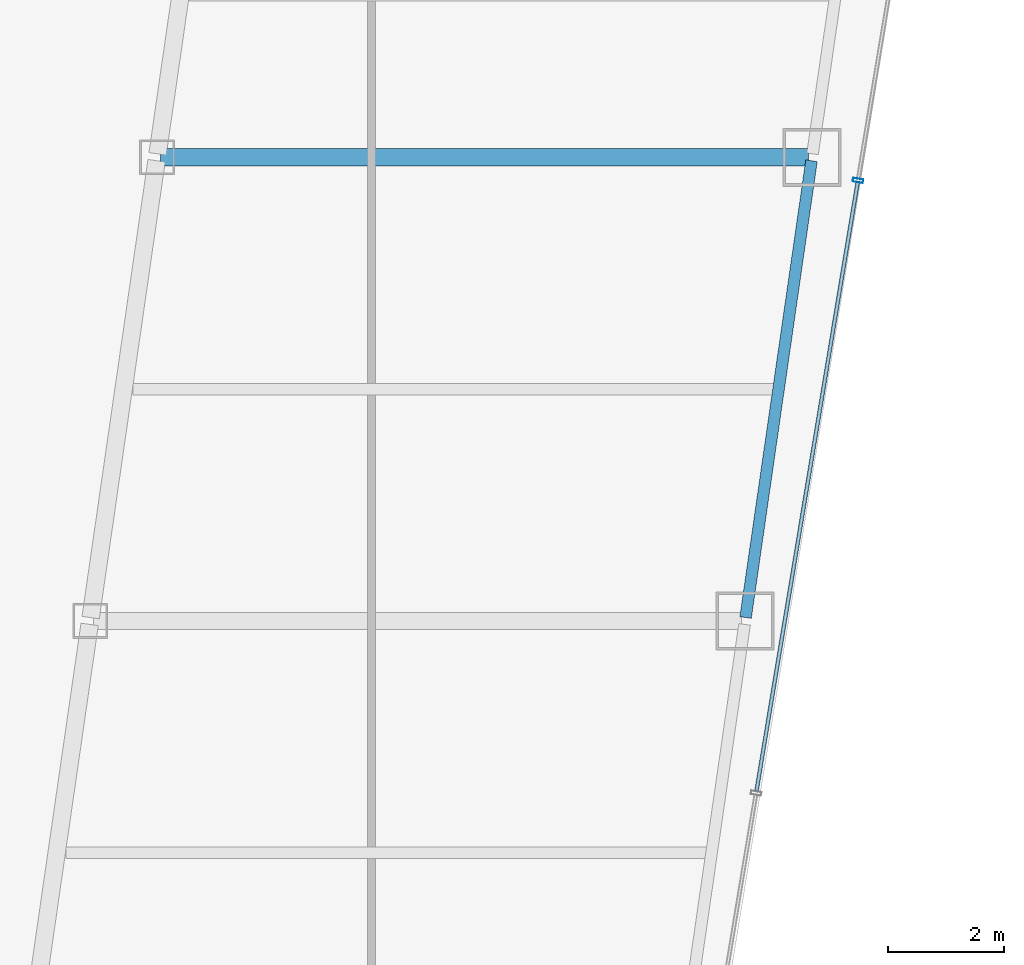
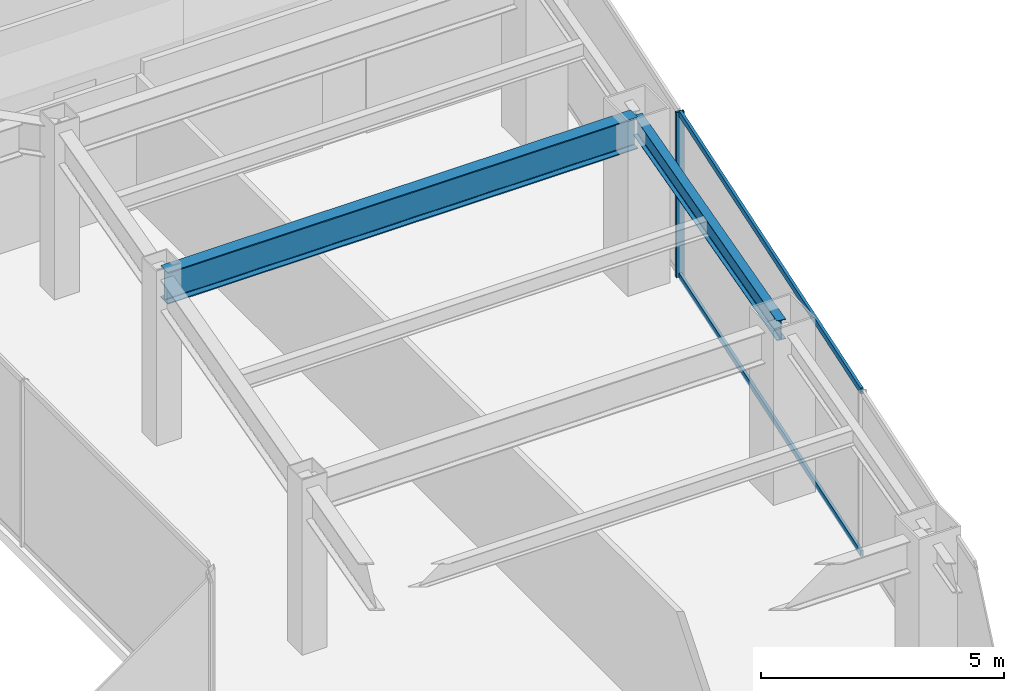
# One storey, part 13 of 35: 3 members, 2 beams, 1 element without a shape of its own.
"""IFC4 building model written with IfcOpenShell, lengths in metres."""

from ifc_helpers import new_model, si_unit, direction, frame, origin, origin_2d, place, context, subcontext, project, spatial, hollow_rectangle, i_section, extrude, material, material_profile, profile_set, type_object, element, aggregate, save


model = new_model("IFC4")

# Units and contexts
model_context = context("Model", 3, precision=1e-05, world=origin(), true_north=direction((0.0, 1.0)))
body_context = subcontext(model_context, "Body", "Model", "MODEL_VIEW")
ifc_project = project(units=[si_unit("LENGTHUNIT", "METRE"), si_unit("AREAUNIT", "SQUARE_METRE"), si_unit("VOLUMEUNIT", "CUBIC_METRE"), si_unit("PLANEANGLEUNIT", "RADIAN"), si_unit("MASSUNIT", "GRAM", prefix="KILO")], contexts=[model_context])

# Site, building, storey
site_placement = place(None, origin())
site = spatial("IfcSite", under=ifc_project, at=site_placement, CompositionType="ELEMENT")
building_placement = place(site_placement, origin())
building = spatial("IfcBuilding", under=site, at=building_placement, Name="Saevonmaru Cultural Tower", CompositionType="ELEMENT")
storey_placement = place(building_placement, frame((0.0, 0.0, 101.60009765625)))
storey = spatial("IfcBuildingStorey", under=building, at=storey_placement, Name="L21", CompositionType="ELEMENT", Elevation=101.60009765625)

# Beams
ifc_material_1 = material(Name="Steel SM420", Category="steel")
ifc_material_profile_1 = material_profile(ifc_material_1, i_section(OverallWidth=0.300048828125, OverallDepth=0.800048828125, WebThickness=0.013916015625, FlangeThickness=0.02587890625, FilletRadius=0.028076171875, at=origin_2d()), Name="H-800x300x14x26")
ifc_profile_set_1 = profile_set([ifc_material_profile_1], Name="Steel SM420")
beam_type_1 = type_object("IfcBeamType", Name="BM-G-H800", PredefinedType="BEAM", material=ifc_profile_set_1)
beam_1_placement = place(storey_placement, frame((40.443115234375, 32.0, 3.75), z_axis=(1.0, 0.0, 0.0), x_axis=(0.0, 1.0, 0.0)))
element("IfcBeam", 1, at=beam_1_placement, inside=storey, type_object=beam_type_1, Name="L21 East Wing Transverse Girder 4", PredefinedType="BEAM", context=body_context, shape_type="SweptSolid", body=[
    extrude(i_section(OverallWidth=0.300048828125, OverallDepth=0.800048828125, WebThickness=0.013916015625, FlangeThickness=0.02587890625, FilletRadius=0.028076171875, at=origin_2d()), origin(), (0.0, 0.0, 1.0), 11.179931640625),
])
ifc_material_2 = material(Name="Steel SM355", Category="steel")
ifc_material_profile_2 = material_profile(ifc_material_2, i_section(OverallWidth=0.199951171875, OverallDepth=0.5, WebThickness=0.010009765625, FlangeThickness=0.01611328125, FilletRadius=0.02001953125, at=origin_2d()), Name="H-500x200x10x16")
ifc_profile_set_2 = profile_set([ifc_material_profile_2], Name="Steel SM355")
beam_type_2 = type_object("IfcBeamType", Name="BM-SP-H500", PredefinedType="SPANDREL", material=ifc_profile_set_2)
beam_2_placement = place(storey_placement, frame((50.53662109375, 24.059326171875, 3.89990234375), z_axis=(0.142871999001, 0.989741174197, 0.0), x_axis=(-0.989741174197, 0.142871999001, 0.0)))
element("IfcBeam", 2, at=beam_2_placement, inside=storey, type_object=beam_type_2, Name="L21 East Splayed Spandrel 3", PredefinedType="SPANDREL", context=body_context, shape_type="SweptSolid", body=[
    extrude(i_section(OverallWidth=0.199951171875, OverallDepth=0.5, WebThickness=0.010009765625, FlangeThickness=0.01611328125, FilletRadius=0.02001953125, at=origin_2d()), origin(), (0.0, 0.0, 1.0), 7.963134765625),
])

# Curtain wall, members
ifc_material_3 = material(Name="Satin Bronze Anodised Aluminium", Category="aluminium")
curtain_wall_type = type_object("IfcCurtainWallType", Name="CW-TYP-A", PredefinedType="NOTDEFINED", material=ifc_material_3)
curtain_wall_placement = place(storey_placement, origin())
curtain_wall = element("IfcCurtainWall", 3, at=curtain_wall_placement, inside=storey, type_object=curtain_wall_type, Name="L21 Unitised Curtain Wall E8", PredefinedType="NOTDEFINED")
ifc_material_profile_3 = material_profile(ifc_material_3, hollow_rectangle(XDim=0.06494140625, YDim=0.179931640625, WallThickness=0.00390625, at=origin_2d()), Name="ALU-MULL-180x65x4")
ifc_profile_set_3 = profile_set([ifc_material_profile_3], Name="Satin Bronze Anodised Aluminium")
member_type_1 = type_object("IfcMemberType", Name="ML-CW-180x65", PredefinedType="MULLION", material=ifc_profile_set_3)
member_1_placement = place(storey_placement, frame((52.4755859375, 31.60009765625, 0.0), z_axis=(0.0, 0.0, 1.0), x_axis=(0.163998702345, 0.986460554523, 0.0)))
member_1 = element("IfcMember", 4, at=member_1_placement, type_object=member_type_1, Name="CW-TW-L21-E8 mullion 3", PredefinedType="MULLION", context=body_context, shape_type="SweptSolid", body=[
    extrude(hollow_rectangle(XDim=0.06494140625, YDim=0.179931640625, WallThickness=0.00390625, at=origin_2d()), origin(), (0.0, 0.0, 1.0), 4.14990234375),
])
ifc_material_profile_4 = material_profile(ifc_material_3, hollow_rectangle(XDim=0.06494140625, YDim=0.14990234375, WallThickness=0.00390625, at=origin_2d()), Name="ALU-TRAN-150x65x4")
ifc_profile_set_4 = profile_set([ifc_material_profile_4], Name="Satin Bronze Anodised Aluminium")
member_type_2 = type_object("IfcMemberType", Name="TR-CW-150x65", PredefinedType="USERDEFINED", material=ifc_profile_set_4)
member_2_placement = place(storey_placement, frame((50.7236328125, 21.061767578125, 0.032470703125), z_axis=(0.163993787386, 0.98646137162, 0.0), x_axis=(-0.98646137162, 0.163993787386, 0.0)))
member_2 = element("IfcMember", 5, at=member_2_placement, type_object=member_type_2, Name="CW-TW-L21-E8 transom 2.1", ObjectType="TRANSOM", PredefinedType="USERDEFINED", context=body_context, shape_type="SweptSolid", body=[
    extrude(hollow_rectangle(XDim=0.06494140625, YDim=0.14990234375, WallThickness=0.00390625, at=origin_2d()), origin(), (0.0, 0.0, 1.0), 10.650390625),
])
member_3_placement = place(storey_placement, frame((50.7236328125, 21.061767578125, 4.117431640625), z_axis=(0.163993787386, 0.98646137162, 0.0), x_axis=(-0.98646137162, 0.163993787386, 0.0)))
member_3 = element("IfcMember", 6, at=member_3_placement, type_object=member_type_2, Name="CW-TW-L21-E8 transom 2.2", ObjectType="TRANSOM", PredefinedType="USERDEFINED", context=body_context, shape_type="SweptSolid", body=[
    extrude(hollow_rectangle(XDim=0.06494140625, YDim=0.14990234375, WallThickness=0.00390625, at=origin_2d()), origin(), (0.0, 0.0, 1.0), 10.650390625),
])
aggregate(curtain_wall, [member_1, member_2, member_3])

save(model, "model.ifc")
